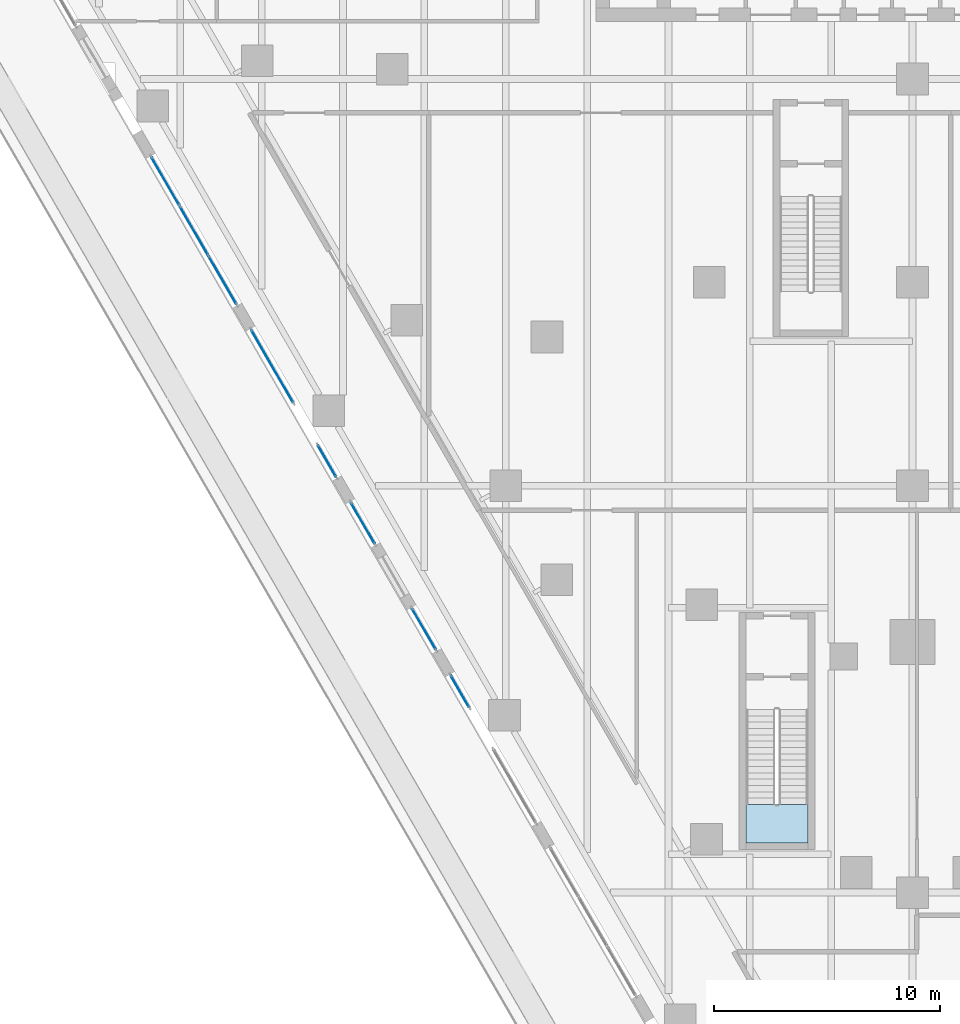
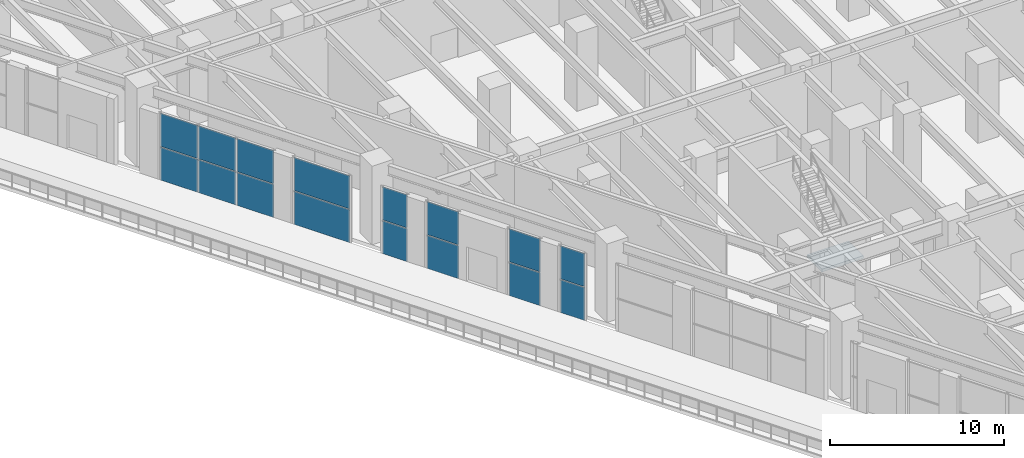
# One storey, part 17 of 30: 16 plates, 1 slab, 7 elements without a shape of their own.
"""IFC4 building model written with IfcOpenShell, lengths in metres."""

from ifc_helpers import new_model, si_unit, direction, frame, origin, origin_2d, place, context, subcontext, project, spatial, polyline, rectangle, outline, extrude, material, layer, layer_set, type_object, element, aggregate, save


model = new_model("IFC4")

# Units and contexts
model_context = context("Model", 3, precision=1e-05, world=origin(), true_north=direction((0.0, 1.0)))
body_context = subcontext(model_context, "Body", "Model", "MODEL_VIEW")
ifc_project = project(units=[si_unit("LENGTHUNIT", "METRE"), si_unit("AREAUNIT", "SQUARE_METRE"), si_unit("VOLUMEUNIT", "CUBIC_METRE"), si_unit("PLANEANGLEUNIT", "RADIAN"), si_unit("MASSUNIT", "GRAM", prefix="KILO")], contexts=[model_context])

# Site, building, storey
site_placement = place(None, origin())
site = spatial("IfcSite", under=ifc_project, at=site_placement, CompositionType="ELEMENT")
building_placement = place(site_placement, origin())
building = spatial("IfcBuilding", under=site, at=building_placement, Name="Aloe Facet Convention Tower", CompositionType="ELEMENT")
storey_placement = place(building_placement, frame((0.0, 0.0, 19.5)))
storey = spatial("IfcBuildingStorey", under=building, at=storey_placement, Name="L03", CompositionType="ELEMENT", Elevation=19.5)

# Stair, slab
ifc_material_1 = material(Name="Concrete C50/60", Category="concrete")
stair_type = type_object("IfcStairType", Name="CR-ST-32R-W1300", PredefinedType="HALF_TURN_STAIR", material=ifc_material_1)
stair_placement = place(storey_placement, origin())
stair = element("IfcStair", 1, at=stair_placement, inside=storey, type_object=stair_type, Name="L03 Protected exit stair ST4", PredefinedType="HALF_TURN_STAIR")
ifc_material_2 = material(Name="Concrete C50/60", Category="concrete")
ifc_layer_1 = layer(ifc_material_2, 0.199951171875)
ifc_layer_set_1 = layer_set([ifc_layer_1], Name="CR-SL-LANDING")
slab_type = type_object("IfcSlabType", Name="CR-SL-LANDING", PredefinedType="LANDING", material=ifc_layer_set_1)
slab_placement = place(storey_placement, frame((0.0, 0.0, 2.550048828125)))
slab = element("IfcSlab", 2, at=slab_placement, type_object=slab_type, Name="ST4 landing 1", PredefinedType="LANDING", context=body_context, shape_type="SweptSolid", body=[
    extrude(outline(polyline([(72.625, 84.89990234375), (72.625, 83.199951171875), (75.375, 83.199951171875), (75.375, 84.89990234375), (72.625, 84.89990234375)])), origin(), (0.0, 0.0, 1.0), 0.199951171875),
])
aggregate(stair, [slab])

# Curtain wall, plates
ifc_material_3 = material(Name="Aluminium, anodised", Category="aluminium")
curtain_wall_type = type_object("IfcCurtainWallType", Name="EV-CW-HALL", PredefinedType="USERDEFINED", material=ifc_material_3)
curtain_wall_1_placement = place(storey_placement, origin())
curtain_wall_1 = element("IfcCurtainWall", 3, at=curtain_wall_1_placement, inside=storey, type_object=curtain_wall_type, Name="CW-L03-W06", ObjectType="UNITISED HALL GLAZING", PredefinedType="USERDEFINED")
ifc_material_4 = material(Name="Clear double glazing", Category="glass")
ifc_layer_2 = layer(ifc_material_4, 0.035888671875)
ifc_layer_set_2 = layer_set([ifc_layer_2], Name="EV-PANEL-HALL")
plate_type = type_object("IfcPlateType", Name="EV-PANEL-HALL", PredefinedType="CURTAIN_PANEL", material=ifc_layer_set_2)
plate_1_placement = place(storey_placement, frame((46.94482421875, 112.473876953125, -0.18505859375), z_axis=(0.0, 0.0, 1.0), x_axis=(0.49999999997, -0.866025403802, 0.0)))
plate_1 = element("IfcPlate", 4, at=plate_1_placement, type_object=plate_type, Name="CW-L03-W06 panel 1.1", PredefinedType="CURTAIN_PANEL", context=body_context, shape_type="SweptSolid", body=[
    extrude(rectangle(XDim=2.44482421875, YDim=0.035888671875, at=origin_2d()), origin(), (0.0, 0.0, 1.0), 2.308837890625),
])
plate_2_placement = place(storey_placement, frame((46.94482421875, 112.473876953125, 2.1884765625), z_axis=(0.0, 0.0, 1.0), x_axis=(0.49999999997, -0.866025403802, 0.0)))
plate_2 = element("IfcPlate", 5, at=plate_2_placement, type_object=plate_type, Name="CW-L03-W06 panel 1.2", PredefinedType="CURTAIN_PANEL", context=body_context, shape_type="SweptSolid", body=[
    extrude(rectangle(XDim=2.44482421875, YDim=0.035888671875, at=origin_2d()), origin(), (0.0, 0.0, 1.0), 2.308837890625),
])
plate_3_placement = place(storey_placement, frame((48.207763671875, 110.2861328125, -0.18505859375), z_axis=(0.0, 0.0, 1.0), x_axis=(0.49999999997, -0.866025403802, 0.0)))
plate_3 = element("IfcPlate", 6, at=plate_3_placement, type_object=plate_type, Name="CW-L03-W06 panel 2.1", PredefinedType="CURTAIN_PANEL", context=body_context, shape_type="SweptSolid", body=[
    extrude(rectangle(XDim=2.477294921875, YDim=0.035888671875, at=origin_2d()), origin(), (0.0, 0.0, 1.0), 2.308837890625),
])
plate_4_placement = place(storey_placement, frame((48.207763671875, 110.2861328125, 2.1884765625), z_axis=(0.0, 0.0, 1.0), x_axis=(0.49999999997, -0.866025403802, 0.0)))
plate_4 = element("IfcPlate", 7, at=plate_4_placement, type_object=plate_type, Name="CW-L03-W06 panel 2.2", PredefinedType="CURTAIN_PANEL", context=body_context, shape_type="SweptSolid", body=[
    extrude(rectangle(XDim=2.477294921875, YDim=0.035888671875, at=origin_2d()), origin(), (0.0, 0.0, 1.0), 2.308837890625),
])
plate_5_placement = place(storey_placement, frame((49.470947265625, 108.0986328125, -0.18505859375), z_axis=(0.0, 0.0, 1.0), x_axis=(0.49999999997, -0.866025403802, 0.0)))
plate_5 = element("IfcPlate", 8, at=plate_5_placement, type_object=plate_type, Name="CW-L03-W06 panel 3.1", PredefinedType="CURTAIN_PANEL", context=body_context, shape_type="SweptSolid", body=[
    extrude(rectangle(XDim=2.44482421875, YDim=0.035888671875, at=origin_2d()), origin(), (0.0, 0.0, 1.0), 2.308837890625),
])
plate_6_placement = place(storey_placement, frame((49.470947265625, 108.0986328125, 2.1884765625), z_axis=(0.0, 0.0, 1.0), x_axis=(0.49999999997, -0.866025403802, 0.0)))
plate_6 = element("IfcPlate", 9, at=plate_6_placement, type_object=plate_type, Name="CW-L03-W06 panel 3.2", PredefinedType="CURTAIN_PANEL", context=body_context, shape_type="SweptSolid", body=[
    extrude(rectangle(XDim=2.44482421875, YDim=0.035888671875, at=origin_2d()), origin(), (0.0, 0.0, 1.0), 2.308837890625),
])
aggregate(curtain_wall_1, [plate_1, plate_2, plate_3, plate_4, plate_5, plate_6])

curtain_wall_2_placement = place(storey_placement, origin())
curtain_wall_2 = element("IfcCurtainWall", 10, at=curtain_wall_2_placement, inside=storey, type_object=curtain_wall_type, Name="CW-L03-W08-1", ObjectType="UNITISED HALL GLAZING", PredefinedType="USERDEFINED")
plate_7_placement = place(storey_placement, frame((51.6728515625, 104.28466796875, -0.18505859375), z_axis=(0.0, 0.0, 1.0), x_axis=(0.49999999997, -0.866025403802, 0.0)))
plate_7 = element("IfcPlate", 11, at=plate_7_placement, type_object=plate_type, Name="CW-L03-W08-1 panel 1.1", PredefinedType="CURTAIN_PANEL", context=body_context, shape_type="SweptSolid", body=[
    extrude(rectangle(XDim=3.703369140625, YDim=0.035888671875, at=origin_2d()), origin(), (0.0, 0.0, 1.0), 2.308837890625),
])
plate_8_placement = place(storey_placement, frame((51.6728515625, 104.28466796875, 2.1884765625), z_axis=(0.0, 0.0, 1.0), x_axis=(0.49999999997, -0.866025403802, 0.0)))
plate_8 = element("IfcPlate", 12, at=plate_8_placement, type_object=plate_type, Name="CW-L03-W08-1 panel 1.2", PredefinedType="CURTAIN_PANEL", context=body_context, shape_type="SweptSolid", body=[
    extrude(rectangle(XDim=3.703369140625, YDim=0.035888671875, at=origin_2d()), origin(), (0.0, 0.0, 1.0), 2.308837890625),
])
aggregate(curtain_wall_2, [plate_7, plate_8])

curtain_wall_3_placement = place(storey_placement, origin())
curtain_wall_3 = element("IfcCurtainWall", 13, at=curtain_wall_3_placement, inside=storey, type_object=curtain_wall_type, Name="CW-L03-W08-2", ObjectType="UNITISED HALL GLAZING", PredefinedType="USERDEFINED")
plate_9_placement = place(storey_placement, frame((54.091796875, 100.094970703125, -0.18505859375), z_axis=(0.0, 0.0, 1.0), x_axis=(0.499999999894, -0.866025403846, 0.0)))
plate_9 = element("IfcPlate", 14, at=plate_9_placement, type_object=plate_type, Name="CW-L03-W08-2 panel 1.1", PredefinedType="CURTAIN_PANEL", context=body_context, shape_type="SweptSolid", body=[
    extrude(rectangle(XDim=1.614501953125, YDim=0.035888671875, at=origin_2d()), origin(), (0.0, 0.0, 1.0), 2.308837890625),
])
plate_10_placement = place(storey_placement, frame((54.091796875, 100.094970703125, 2.1884765625), z_axis=(0.0, 0.0, 1.0), x_axis=(0.499999999894, -0.866025403846, 0.0)))
plate_10 = element("IfcPlate", 15, at=plate_10_placement, type_object=plate_type, Name="CW-L03-W08-2 panel 1.2", PredefinedType="CURTAIN_PANEL", context=body_context, shape_type="SweptSolid", body=[
    extrude(rectangle(XDim=1.614501953125, YDim=0.035888671875, at=origin_2d()), origin(), (0.0, 0.0, 1.0), 2.308837890625),
])
aggregate(curtain_wall_3, [plate_9, plate_10])

curtain_wall_4_placement = place(storey_placement, origin())
curtain_wall_4 = element("IfcCurtainWall", 16, at=curtain_wall_4_placement, inside=storey, type_object=curtain_wall_type, Name="CW-L03-W10A", ObjectType="UNITISED HALL GLAZING", PredefinedType="USERDEFINED")
plate_11_placement = place(storey_placement, frame((55.68115234375, 97.341796875, -0.18505859375), z_axis=(0.0, 0.0, 1.0), x_axis=(0.499999999834, -0.86602540388, 0.0)))
plate_11 = element("IfcPlate", 17, at=plate_11_placement, type_object=plate_type, Name="CW-L03-W10A panel 1.1", PredefinedType="CURTAIN_PANEL", context=body_context, shape_type="SweptSolid", body=[
    extrude(rectangle(XDim=2.08349609375, YDim=0.035888671875, at=origin_2d()), origin(), (0.0, 0.0, 1.0), 2.308837890625),
])
plate_12_placement = place(storey_placement, frame((55.68115234375, 97.341796875, 2.1884765625), z_axis=(0.0, 0.0, 1.0), x_axis=(0.499999999834, -0.86602540388, 0.0)))
plate_12 = element("IfcPlate", 18, at=plate_12_placement, type_object=plate_type, Name="CW-L03-W10A panel 1.2", PredefinedType="CURTAIN_PANEL", context=body_context, shape_type="SweptSolid", body=[
    extrude(rectangle(XDim=2.08349609375, YDim=0.035888671875, at=origin_2d()), origin(), (0.0, 0.0, 1.0), 2.308837890625),
])
aggregate(curtain_wall_4, [plate_11, plate_12])

curtain_wall_5_placement = place(storey_placement, origin())
curtain_wall_5 = element("IfcCurtainWall", 19, at=curtain_wall_5_placement, inside=storey, type_object=curtain_wall_type, Name="CW-L03-W10B", ObjectType="UNITISED HALL GLAZING", PredefinedType="USERDEFINED")
plate_13_placement = place(storey_placement, frame((58.387939453125, 92.65380859375, -0.18505859375), z_axis=(0.0, 0.0, 1.0), x_axis=(0.50000000003, -0.866025403767, 0.0)))
plate_13 = element("IfcPlate", 20, at=plate_13_placement, type_object=plate_type, Name="CW-L03-W10B panel 1.1", PredefinedType="CURTAIN_PANEL", context=body_context, shape_type="SweptSolid", body=[
    extrude(rectangle(XDim=2.08349609375, YDim=0.035888671875, at=origin_2d()), origin(), (0.0, 0.0, 1.0), 2.308837890625),
])
plate_14_placement = place(storey_placement, frame((58.387939453125, 92.65380859375, 2.1884765625), z_axis=(0.0, 0.0, 1.0), x_axis=(0.50000000003, -0.866025403767, 0.0)))
plate_14 = element("IfcPlate", 21, at=plate_14_placement, type_object=plate_type, Name="CW-L03-W10B panel 1.2", PredefinedType="CURTAIN_PANEL", context=body_context, shape_type="SweptSolid", body=[
    extrude(rectangle(XDim=2.08349609375, YDim=0.035888671875, at=origin_2d()), origin(), (0.0, 0.0, 1.0), 2.308837890625),
])
aggregate(curtain_wall_5, [plate_13, plate_14])

curtain_wall_6_placement = place(storey_placement, origin())
curtain_wall_6 = element("IfcCurtainWall", 22, at=curtain_wall_6_placement, inside=storey, type_object=curtain_wall_type, Name="CW-L03-W12-1", ObjectType="UNITISED HALL GLAZING", PredefinedType="USERDEFINED")
plate_15_placement = place(storey_placement, frame((59.9775390625, 89.900634765625, -0.18505859375), z_axis=(0.0, 0.0, 1.0), x_axis=(0.500000000438, -0.866025403531, 0.0)))
plate_15 = element("IfcPlate", 23, at=plate_15_placement, type_object=plate_type, Name="CW-L03-W12-1 panel 1.1", PredefinedType="CURTAIN_PANEL", context=body_context, shape_type="SweptSolid", body=[
    extrude(rectangle(XDim=1.61474609375, YDim=0.035888671875, at=origin_2d()), origin(), (0.0, 0.0, 1.0), 2.308837890625),
])
plate_16_placement = place(storey_placement, frame((59.9775390625, 89.900634765625, 2.1884765625), z_axis=(0.0, 0.0, 1.0), x_axis=(0.500000000438, -0.866025403531, 0.0)))
plate_16 = element("IfcPlate", 24, at=plate_16_placement, type_object=plate_type, Name="CW-L03-W12-1 panel 1.2", PredefinedType="CURTAIN_PANEL", context=body_context, shape_type="SweptSolid", body=[
    extrude(rectangle(XDim=1.61474609375, YDim=0.035888671875, at=origin_2d()), origin(), (0.0, 0.0, 1.0), 2.308837890625),
])
aggregate(curtain_wall_6, [plate_15, plate_16])

save(model, "model.ifc")
